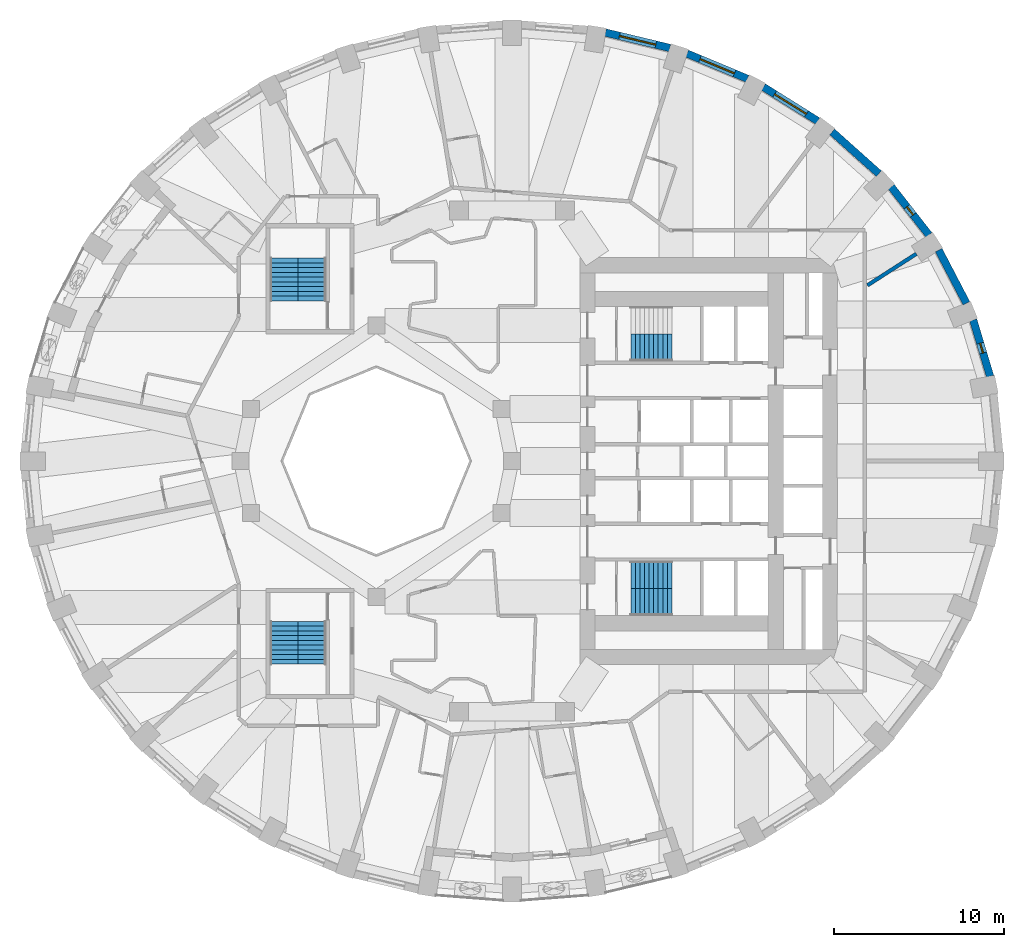
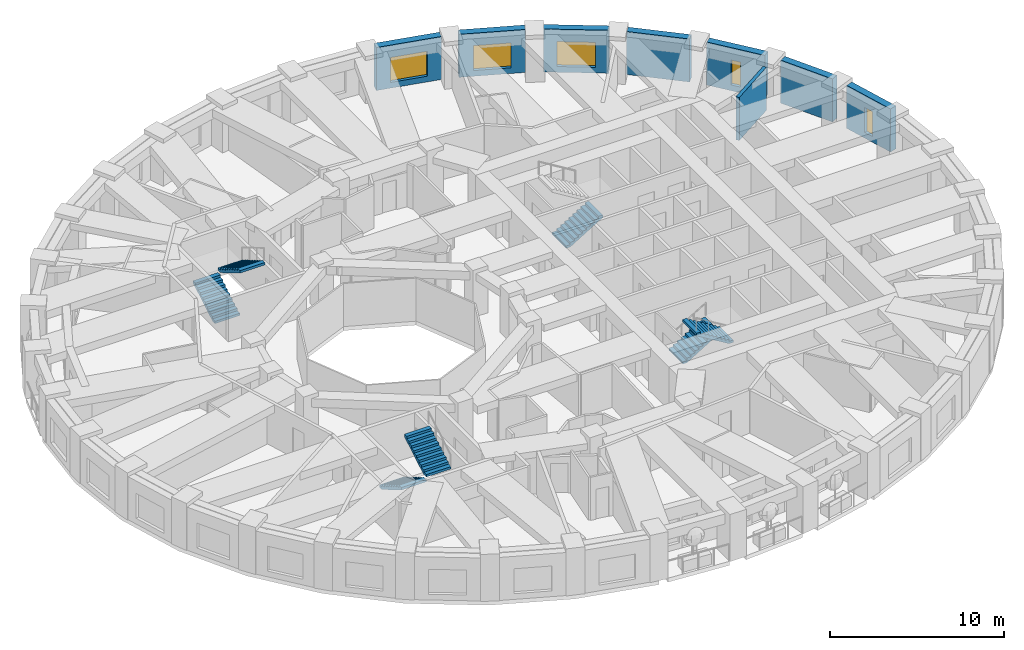
# One storey, part 9 of 13: 8 walls, 7 stair flights, 5 windows, 5 openings, 4 elements without a shape of their own.
"""IFC4 building model written with IfcOpenShell, lengths in metres."""

from ifc_helpers import new_model, si_unit, direction, frame, frame_2d, origin, place, context, subcontext, project, spatial, polyline, rectangle, outline, extrude, material, layer, layer_set, type_object, element, fill, aggregate, save


model = new_model("IFC4")

# Units and contexts
model_context = context("Model", 3, precision=1e-05, world=origin(), true_north=direction((0.0, 1.0)))
body_context = subcontext(model_context, "Body", "Model", "MODEL_VIEW")
ifc_project = project(units=[si_unit("LENGTHUNIT", "METRE"), si_unit("AREAUNIT", "SQUARE_METRE"), si_unit("VOLUMEUNIT", "CUBIC_METRE"), si_unit("PLANEANGLEUNIT", "RADIAN"), si_unit("MASSUNIT", "GRAM", prefix="KILO")], contexts=[model_context])

# Site, building, storey
site_placement = place(None, origin())
site = spatial("IfcSite", under=ifc_project, at=site_placement, CompositionType="ELEMENT")
building_placement = place(site_placement, origin())
building = spatial("IfcBuilding", under=site, at=building_placement, Name="Taillehof Tower", CompositionType="ELEMENT")
storey_placement = place(building_placement, frame((0.0, 0.0, 34.89990234375)))
storey = spatial("IfcBuildingStorey", under=building, at=storey_placement, Name="L08", CompositionType="ELEMENT", Elevation=34.89990234375)

# Wall, opening, window
ifc_material_1 = material(Name="Brick masonry", Category="masonry")
ifc_layer_1 = layer(ifc_material_1, 0.449951171875)
ifc_layer_set_1 = layer_set([ifc_layer_1], Name="Brick infill wall 450")
wall_type_1 = type_object("IfcWallType", Name="Brick infill wall 450", PredefinedType="SOLIDWALL", material=ifc_layer_set_1)
wall_1_placement = place(storey_placement, frame((28.181884765625, 4.995849609375, 0.0), z_axis=(0.0, 0.0, 1.0), x_axis=(-0.287064133733, 0.957911364963, 0.0)))
wall_1 = element("IfcWall", 1, at=wall_1_placement, inside=storey, type_object=wall_type_1, Name="Brick wall L08 bay 2", PredefinedType="SOLIDWALL", context=body_context, shape_type="SweptSolid", body=[
    extrude(rectangle(XDim=3.473388671875, YDim=0.449951171875, at=frame_2d((1.73681640625, 0.0))), origin(), (0.0, 0.0, 1.0), 3.02001953125),
])
opening_1_placement = place(wall_1_placement, frame((1.436767578125, 0.0, 0.39990234375)))
opening_1 = element("IfcOpeningElement", 2, at=opening_1_placement, cuts=wall_1, Name="Opening W6", PredefinedType="OPENING", context=body_context, shape_type="SweptSolid", body=[
    extrude(rectangle(XDim=0.60009765625, YDim=1.75, at=frame_2d((0.300048828125, 0.875))), frame((0.0, 0.23486328125, 0.0), z_axis=(0.0, -1.0, 0.0), x_axis=(1.0, 0.0, 0.0)), (0.0, 0.0, 1.0), 0.469970703125),
])
ifc_material_2 = material(Name="Aluminium window frame with clear double glazing", Category="aluminium")
window_type_1 = type_object("IfcWindowType", Name="Slot window 600x1750", PartitioningType="SINGLE_PANEL", PredefinedType="WINDOW", material=ifc_material_2)
window_1_placement = place(opening_1_placement, origin())
window_1 = element("IfcWindow", 3, at=window_1_placement, inside=storey, type_object=window_type_1, Name="W6", OverallHeight=1.75, OverallWidth=0.60009765625, PartitioningType="SINGLE_PANEL", PredefinedType="WINDOW", context=body_context, shape_type="SweptSolid", body=[
    extrude(rectangle(XDim=0.60009765625, YDim=1.75, at=frame_2d((0.300048828125, 0.875))), frame((0.0, 0.034912109375, 0.0), z_axis=(0.0, -1.0, 0.0), x_axis=(1.0, 0.0, 0.0)), (0.0, 0.0, 1.0), 0.06005859375),
])
fill(opening_1, window_1)

# Wall
wall_2_placement = place(storey_placement, frame((26.78564453125, 9.30517578125, 0.0), z_axis=(0.0, 0.0, 1.0), x_axis=(-0.462492775226, 0.886623050041, 0.0)))
element("IfcWall", 4, at=wall_2_placement, inside=storey, type_object=wall_type_1, Name="Brick wall L08 bay 3", PredefinedType="SOLIDWALL", context=body_context, shape_type="SweptSolid", body=[
    extrude(rectangle(XDim=3.531982421875, YDim=0.449951171875, at=frame_2d((1.76611328125, 0.0))), origin(), (0.0, 0.0, 1.0), 3.02001953125),
])

# Wall, opening, window
wall_3_placement = place(storey_placement, frame((24.57763671875, 13.327880859375, 0.0), z_axis=(0.0, 0.0, 1.0), x_axis=(-0.616661975264, 0.787228053529, 0.0)))
wall_3 = element("IfcWall", 5, at=wall_3_placement, inside=storey, type_object=wall_type_1, Name="Brick wall L08 bay 4", PredefinedType="SOLIDWALL", context=body_context, shape_type="SweptSolid", body=[
    extrude(rectangle(XDim=3.60986328125, YDim=0.449951171875, at=frame_2d((1.804931640625, 0.0))), origin(), (0.0, 0.0, 1.0), 3.02001953125),
])
opening_2_placement = place(wall_3_placement, frame((1.5048828125, 0.0, 0.39990234375)))
opening_2 = element("IfcOpeningElement", 6, at=opening_2_placement, cuts=wall_3, Name="Opening W6", PredefinedType="OPENING", context=body_context, shape_type="SweptSolid", body=[
    extrude(rectangle(XDim=0.60009765625, YDim=1.75, at=frame_2d((0.300048828125, 0.875))), frame((0.0, 0.23486328125, 0.0), z_axis=(0.0, -1.0, 0.0), x_axis=(1.0, 0.0, 0.0)), (0.0, 0.0, 1.0), 0.469970703125),
])
window_2_placement = place(opening_2_placement, origin())
window_2 = element("IfcWindow", 7, at=window_2_placement, inside=storey, type_object=window_type_1, Name="W6", OverallHeight=1.75, OverallWidth=0.60009765625, PartitioningType="SINGLE_PANEL", PredefinedType="WINDOW", context=body_context, shape_type="SweptSolid", body=[
    extrude(rectangle(XDim=0.60009765625, YDim=1.75, at=frame_2d((0.300048828125, 0.875))), frame((0.0, 0.034912109375, 0.0), z_axis=(0.0, -1.0, 0.0), x_axis=(1.0, 0.0, 0.0)), (0.0, 0.0, 1.0), 0.06005859375),
])
fill(opening_2, window_2)

# Wall
wall_4_placement = place(storey_placement, frame((21.626708984375, 16.943115234375, 0.0), z_axis=(0.0, 0.0, 1.0), x_axis=(-0.745526233716, 0.66647628228, 0.0)))
element("IfcWall", 8, at=wall_4_placement, inside=storey, type_object=wall_type_1, Name="Brick wall L08 bay 5", PredefinedType="SOLIDWALL", context=body_context, shape_type="SweptSolid", body=[
    extrude(rectangle(XDim=3.69677734375, YDim=0.449951171875, at=frame_2d((1.848388671875, 0.0))), origin(), (0.0, 0.0, 1.0), 3.02001953125),
])

# Wall, opening, window
wall_5_placement = place(storey_placement, frame((18.02294921875, 20.043701171875, 0.0), z_axis=(0.0, 0.0, 1.0), x_axis=(-0.847635480093, 0.530579016629, 0.0)))
wall_5 = element("IfcWall", 9, at=wall_5_placement, inside=storey, type_object=wall_type_1, Name="Brick wall L08 bay 6", PredefinedType="SOLIDWALL", context=body_context, shape_type="SweptSolid", body=[
    extrude(rectangle(XDim=3.782470703125, YDim=0.449951171875, at=frame_2d((1.89111328125, 0.0))), origin(), (0.0, 0.0, 1.0), 3.02001953125),
])
opening_3_placement = place(wall_5_placement, frame((0.791259765625, 0.0, 0.39990234375)))
opening_3 = element("IfcOpeningElement", 10, at=opening_3_placement, cuts=wall_5, Name="Opening W1", PredefinedType="OPENING", context=body_context, shape_type="SweptSolid", body=[
    extrude(rectangle(XDim=2.199951171875, YDim=1.75, at=frame_2d((1.10009765625, 0.875))), frame((0.0, 0.23486328125, 0.0), z_axis=(0.0, -1.0, 0.0), x_axis=(1.0, 0.0, 0.0)), (0.0, 0.0, 1.0), 0.469970703125),
])
ifc_material_3 = material(Name="Aluminium window frame with clear double glazing", Category="aluminium")
window_type_2 = type_object("IfcWindowType", Name="Deep-set window 2200x1750", PartitioningType="SINGLE_PANEL", PredefinedType="WINDOW", material=ifc_material_3)
window_3_placement = place(opening_3_placement, origin())
window_3 = element("IfcWindow", 11, at=window_3_placement, inside=storey, type_object=window_type_2, Name="W1", OverallHeight=1.75, OverallWidth=2.199951171875, PartitioningType="SINGLE_PANEL", PredefinedType="WINDOW", context=body_context, shape_type="SweptSolid", body=[
    extrude(rectangle(XDim=2.199951171875, YDim=1.75, at=frame_2d((1.10009765625, 0.875))), frame((0.0, 0.034912109375, 0.0), z_axis=(0.0, -1.0, 0.0), x_axis=(1.0, 0.0, 0.0)), (0.0, 0.0, 1.0), 0.06005859375),
])
fill(opening_3, window_3)

wall_6_placement = place(storey_placement, frame((13.875, 22.537353515625, 0.0), z_axis=(0.0, 0.0, 1.0), x_axis=(-0.923031964282, 0.384723267966, 0.0)))
wall_6 = element("IfcWall", 12, at=wall_6_placement, inside=storey, type_object=wall_type_1, Name="Brick wall L08 bay 7", PredefinedType="SOLIDWALL", context=body_context, shape_type="SweptSolid", body=[
    extrude(rectangle(XDim=3.8564453125, YDim=0.449951171875, at=frame_2d((1.92822265625, 0.0))), origin(), (0.0, 0.0, 1.0), 3.02001953125),
])
opening_4_placement = place(wall_6_placement, frame((0.828125, 0.0, 0.39990234375)))
opening_4 = element("IfcOpeningElement", 13, at=opening_4_placement, cuts=wall_6, Name="Opening W1", PredefinedType="OPENING", context=body_context, shape_type="SweptSolid", body=[
    extrude(rectangle(XDim=2.199951171875, YDim=1.75, at=frame_2d((1.10009765625, 0.875))), frame((0.0, 0.23486328125, 0.0), z_axis=(0.0, -1.0, 0.0), x_axis=(1.0, 0.0, 0.0)), (0.0, 0.0, 1.0), 0.469970703125),
])
window_4_placement = place(opening_4_placement, origin())
window_4 = element("IfcWindow", 14, at=window_4_placement, inside=storey, type_object=window_type_2, Name="W1", OverallHeight=1.75, OverallWidth=2.199951171875, PartitioningType="SINGLE_PANEL", PredefinedType="WINDOW", context=body_context, shape_type="SweptSolid", body=[
    extrude(rectangle(XDim=2.199951171875, YDim=1.75, at=frame_2d((1.10009765625, 0.875))), frame((0.0, 0.034912109375, 0.0), z_axis=(0.0, -1.0, 0.0), x_axis=(1.0, 0.0, 0.0)), (0.0, 0.0, 1.0), 0.06005859375),
])
fill(opening_4, window_4)

wall_7_placement = place(storey_placement, frame((9.3076171875, 24.349609375, 0.0), z_axis=(0.0, 0.0, 1.0), x_axis=(-0.972496561493, 0.232917233979, 0.0)))
wall_7 = element("IfcWall", 15, at=wall_7_placement, inside=storey, type_object=wall_type_1, Name="Brick wall L08 bay 8", PredefinedType="SOLIDWALL", context=body_context, shape_type="SweptSolid", body=[
    extrude(rectangle(XDim=3.910888671875, YDim=0.449951171875, at=frame_2d((1.95556640625, 0.0))), origin(), (0.0, 0.0, 1.0), 3.02001953125),
])
opening_5_placement = place(wall_7_placement, frame((0.855224609375, 0.0, 0.39990234375)))
opening_5 = element("IfcOpeningElement", 16, at=opening_5_placement, cuts=wall_7, Name="Opening W1", PredefinedType="OPENING", context=body_context, shape_type="SweptSolid", body=[
    extrude(rectangle(XDim=2.199951171875, YDim=1.75, at=frame_2d((1.10009765625, 0.875))), frame((0.0, 0.23486328125, 0.0), z_axis=(0.0, -1.0, 0.0), x_axis=(1.0, 0.0, 0.0)), (0.0, 0.0, 1.0), 0.469970703125),
])
window_5_placement = place(opening_5_placement, origin())
window_5 = element("IfcWindow", 17, at=window_5_placement, inside=storey, type_object=window_type_2, Name="W1", OverallHeight=1.75, OverallWidth=2.199951171875, PartitioningType="SINGLE_PANEL", PredefinedType="WINDOW", context=body_context, shape_type="SweptSolid", body=[
    extrude(rectangle(XDim=2.199951171875, YDim=1.75, at=frame_2d((1.10009765625, 0.875))), frame((0.0, 0.034912109375, 0.0), z_axis=(0.0, -1.0, 0.0), x_axis=(1.0, 0.0, 0.0)), (0.0, 0.0, 1.0), 0.06005859375),
])
fill(opening_5, window_5)

# Wall
ifc_material_4 = material(Name="Gypsum board on double steel studs with mineral wool", Category="steel")
ifc_layer_2 = layer(ifc_material_4, 0.219970703125)
ifc_layer_set_2 = layer_set([ifc_layer_2], Name="Compartment wall guest room 220")
wall_type_2 = type_object("IfcWallType", Name="Compartment wall guest room 220", PredefinedType="PARTITIONING", material=ifc_layer_set_2)
wall_8_placement = place(storey_placement, frame((23.834716796875, 12.218994140625, 0.0), z_axis=(0.0, 0.0, 1.0), x_axis=(-0.840694872373, -0.541509124176, 0.0)))
element("IfcWall", 18, at=wall_8_placement, inside=storey, type_object=wall_type_2, Name="Compartment wall", PredefinedType="PARTITIONING", context=body_context, shape_type="SweptSolid", body=[
    extrude(rectangle(XDim=3.430419921875, YDim=0.219970703125, at=frame_2d((1.71533203125, 0.0))), origin(), (0.0, 0.0, 1.0), 3.02001953125),
])

# Stair, stair flight
ifc_material_5 = material(Name="Concrete C40/50", Category="concrete")
stair_type = type_object("IfcStairType", Name="Exit stair half-turn", PredefinedType="HALF_TURN_STAIR", material=ifc_material_5)
stair_1_placement = place(storey_placement, origin())
stair_1 = element("IfcStair", 19, at=stair_1_placement, inside=storey, type_object=stair_type, Name="Exit stair S1", PredefinedType="HALF_TURN_STAIR")
ifc_material_6 = material(Name="Concrete C40/50", Category="concrete")
stair_flight_type_1 = type_object("IfcStairFlightType", Name="Stair flight 1600 riser 165.0 going 270", PredefinedType="STRAIGHT", material=ifc_material_6)
stair_flight_1_placement = place(storey_placement, frame((7.0, 6.699951171875, 0.0), z_axis=(0.0, 0.0, 1.0), x_axis=(1.0, 0.0, 0.0)))
stair_flight_1 = element("IfcStairFlight", 20, at=stair_flight_1_placement, type_object=stair_flight_type_1, Name="S1 flight 1", NumberOfRisers=10, NumberOfTreads=9, PredefinedType="STRAIGHT", RiserHeight=0.165, TreadLength=0.27, context=body_context, shape_type="SweptSolid", body=[
    extrude(outline(polyline([(0.0, 0.0), (0.0, 0.00537109375), (0.0, 0.0107421875), (0.0, 0.015869140625), (0.0, 0.021240234375), (0.0, 0.026611328125), (0.0, 0.031982421875), (0.0, 0.037353515625), (0.0, 0.04248046875), (0.0, 0.0478515625), (0.0, 0.05322265625), (0.0, 0.05859375), (0.0, 0.06396484375), (0.0, 0.069091796875), (0.0, 0.074462890625), (0.0, 0.079833984375), (0.0, 0.085205078125), (0.0, 0.090576171875), (0.0, 0.095703125), (0.0, 0.10107421875), (0.0, 0.1064453125), (0.0, 0.11181640625), (0.0, 0.1171875), (0.0, 0.122314453125), (0.0, 0.127685546875), (0.0, 0.133056640625), (0.0, 0.138427734375), (0.0, 0.143798828125), (0.0, 0.14892578125), (0.0, 0.154296875), (0.0, 0.15966796875), (0.0, 0.1650390625), (0.27001953125, 0.1650390625), (0.27001953125, 0.330078125), (0.5400390625, 0.330078125), (0.5400390625, 0.4951171875), (0.81005859375, 0.4951171875), (0.81005859375, 0.659912109375), (1.080078125, 0.659912109375), (1.080078125, 0.824951171875), (1.35009765625, 0.824951171875), (1.35009765625, 0.989990234375), (1.6201171875, 0.989990234375), (1.6201171875, 1.155029296875), (1.889892578125, 1.155029296875), (1.889892578125, 1.320068359375), (2.159912109375, 1.320068359375), (2.159912109375, 1.485107421875), (2.429931640625, 1.485107421875), (2.429931640625, 1.479248046875), (2.429931640625, 1.4736328125), (2.429931640625, 1.468017578125), (2.429931640625, 1.46240234375), (2.429931640625, 1.45654296875), (2.429931640625, 1.450927734375), (2.429931640625, 1.4453125), (2.429931640625, 1.439697265625), (2.429931640625, 1.43408203125), (2.429931640625, 1.42822265625), (2.429931640625, 1.422607421875), (2.429931640625, 1.4169921875), (2.429931640625, 1.411376953125), (2.429931640625, 1.40576171875), (2.429931640625, 1.39990234375), (2.429931640625, 1.394287109375), (2.429931640625, 1.388671875), (2.429931640625, 1.383056640625), (2.429931640625, 1.37744140625), (2.429931640625, 1.37158203125), (2.429931640625, 1.365966796875), (2.429931640625, 1.3603515625), (2.429931640625, 1.354736328125), (2.429931640625, 1.348876953125), (2.429931640625, 1.34326171875), (2.429931640625, 1.337646484375), (2.429931640625, 1.33203125), (2.429931640625, 1.326416015625), (2.429931640625, 1.320556640625), (2.429931640625, 1.31494140625), (2.429931640625, 1.309326171875), (0.287353515625, 0.0), (0.0, 0.0)])), frame((0.0, 0.800048828125, 0.0), z_axis=(0.0, -1.0, 0.0), x_axis=(1.0, 0.0, 0.0)), (0.0, 0.0, 1.0), 1.6),
])
aggregate(stair_1, [stair_flight_1])

# Stair, stair flights
stair_2_placement = place(storey_placement, origin())
stair_2 = element("IfcStair", 21, at=stair_2_placement, inside=storey, type_object=stair_type, Name="Exit stair S2", PredefinedType="HALF_TURN_STAIR")
stair_flight_2_placement = place(storey_placement, frame((7.0, -6.699951171875, 0.0), z_axis=(0.0, 0.0, 1.0), x_axis=(1.0, 0.0, 0.0)))
stair_flight_2 = element("IfcStairFlight", 22, at=stair_flight_2_placement, type_object=stair_flight_type_1, Name="S2 flight 1", NumberOfRisers=10, NumberOfTreads=9, PredefinedType="STRAIGHT", RiserHeight=0.165, TreadLength=0.27, context=body_context, shape_type="SweptSolid", body=[
    extrude(outline(polyline([(0.0, 0.0), (0.0, 0.00537109375), (0.0, 0.0107421875), (0.0, 0.015869140625), (0.0, 0.021240234375), (0.0, 0.026611328125), (0.0, 0.031982421875), (0.0, 0.037353515625), (0.0, 0.04248046875), (0.0, 0.0478515625), (0.0, 0.05322265625), (0.0, 0.05859375), (0.0, 0.06396484375), (0.0, 0.069091796875), (0.0, 0.074462890625), (0.0, 0.079833984375), (0.0, 0.085205078125), (0.0, 0.090576171875), (0.0, 0.095703125), (0.0, 0.10107421875), (0.0, 0.1064453125), (0.0, 0.11181640625), (0.0, 0.1171875), (0.0, 0.122314453125), (0.0, 0.127685546875), (0.0, 0.133056640625), (0.0, 0.138427734375), (0.0, 0.143798828125), (0.0, 0.14892578125), (0.0, 0.154296875), (0.0, 0.15966796875), (0.0, 0.1650390625), (0.27001953125, 0.1650390625), (0.27001953125, 0.330078125), (0.5400390625, 0.330078125), (0.5400390625, 0.4951171875), (0.81005859375, 0.4951171875), (0.81005859375, 0.659912109375), (1.080078125, 0.659912109375), (1.080078125, 0.824951171875), (1.35009765625, 0.824951171875), (1.35009765625, 0.989990234375), (1.6201171875, 0.989990234375), (1.6201171875, 1.155029296875), (1.889892578125, 1.155029296875), (1.889892578125, 1.320068359375), (2.159912109375, 1.320068359375), (2.159912109375, 1.485107421875), (2.429931640625, 1.485107421875), (2.429931640625, 1.479248046875), (2.429931640625, 1.4736328125), (2.429931640625, 1.468017578125), (2.429931640625, 1.46240234375), (2.429931640625, 1.45654296875), (2.429931640625, 1.450927734375), (2.429931640625, 1.4453125), (2.429931640625, 1.439697265625), (2.429931640625, 1.43408203125), (2.429931640625, 1.42822265625), (2.429931640625, 1.422607421875), (2.429931640625, 1.4169921875), (2.429931640625, 1.411376953125), (2.429931640625, 1.40576171875), (2.429931640625, 1.39990234375), (2.429931640625, 1.394287109375), (2.429931640625, 1.388671875), (2.429931640625, 1.383056640625), (2.429931640625, 1.37744140625), (2.429931640625, 1.37158203125), (2.429931640625, 1.365966796875), (2.429931640625, 1.3603515625), (2.429931640625, 1.354736328125), (2.429931640625, 1.348876953125), (2.429931640625, 1.34326171875), (2.429931640625, 1.337646484375), (2.429931640625, 1.33203125), (2.429931640625, 1.326416015625), (2.429931640625, 1.320556640625), (2.429931640625, 1.31494140625), (2.429931640625, 1.309326171875), (0.287353515625, 0.0), (0.0, 0.0)])), frame((0.0, 0.800048828125, 0.0), z_axis=(0.0, -1.0, 0.0), x_axis=(1.0, 0.0, 0.0)), (0.0, 0.0, 1.0), 1.6),
])
stair_flight_3_placement = place(storey_placement, frame((9.429931640625, -8.300048828125, 1.650146484375), z_axis=(0.0, 0.0, 1.0), x_axis=(-1.0, 0.0, 0.0)))
stair_flight_3 = element("IfcStairFlight", 23, at=stair_flight_3_placement, type_object=stair_flight_type_1, Name="S2 flight 2", NumberOfRisers=10, NumberOfTreads=9, PredefinedType="STRAIGHT", RiserHeight=0.165, TreadLength=0.27, context=body_context, shape_type="SweptSolid", body=[
    extrude(outline(polyline([(0.0, 0.0), (0.0, 0.00537109375), (0.0, 0.0107421875), (0.0, 0.015869140625), (0.0, 0.021240234375), (0.0, 0.026611328125), (0.0, 0.031982421875), (0.0, 0.037353515625), (0.0, 0.04248046875), (0.0, 0.0478515625), (0.0, 0.05322265625), (0.0, 0.05859375), (0.0, 0.06396484375), (0.0, 0.069091796875), (0.0, 0.074462890625), (0.0, 0.079833984375), (0.0, 0.085205078125), (0.0, 0.090576171875), (0.0, 0.095703125), (0.0, 0.10107421875), (0.0, 0.1064453125), (0.0, 0.11181640625), (0.0, 0.1171875), (0.0, 0.122314453125), (0.0, 0.127685546875), (0.0, 0.133056640625), (0.0, 0.138427734375), (0.0, 0.143798828125), (0.0, 0.14892578125), (0.0, 0.154296875), (0.0, 0.15966796875), (0.0, 0.1650390625), (0.27001953125, 0.1650390625), (0.27001953125, 0.330078125), (0.5400390625, 0.330078125), (0.5400390625, 0.4951171875), (0.81005859375, 0.4951171875), (0.81005859375, 0.659912109375), (1.080078125, 0.659912109375), (1.080078125, 0.824951171875), (1.35009765625, 0.824951171875), (1.35009765625, 0.989990234375), (1.6201171875, 0.989990234375), (1.6201171875, 1.155029296875), (1.889892578125, 1.155029296875), (1.889892578125, 1.320068359375), (2.159912109375, 1.320068359375), (2.159912109375, 1.485107421875), (2.429931640625, 1.485107421875), (2.429931640625, 1.479248046875), (2.429931640625, 1.4736328125), (2.429931640625, 1.468017578125), (2.429931640625, 1.46240234375), (2.429931640625, 1.45654296875), (2.429931640625, 1.450927734375), (2.429931640625, 1.4453125), (2.429931640625, 1.439697265625), (2.429931640625, 1.43408203125), (2.429931640625, 1.42822265625), (2.429931640625, 1.422607421875), (2.429931640625, 1.4169921875), (2.429931640625, 1.411376953125), (2.429931640625, 1.40576171875), (2.429931640625, 1.39990234375), (2.429931640625, 1.394287109375), (2.429931640625, 1.388671875), (2.429931640625, 1.383056640625), (2.429931640625, 1.37744140625), (2.429931640625, 1.37158203125), (2.429931640625, 1.365966796875), (2.429931640625, 1.3603515625), (2.429931640625, 1.354736328125), (2.429931640625, 1.348876953125), (2.429931640625, 1.34326171875), (2.429931640625, 1.337646484375), (2.429931640625, 1.33203125), (2.429931640625, 1.326416015625), (2.429931640625, 1.320556640625), (2.429931640625, 1.31494140625), (2.429931640625, 1.309326171875), (0.287353515625, 0.0), (0.0, 0.0)])), frame((0.0, 0.800048828125, 0.0), z_axis=(0.0, -1.0, 0.0), x_axis=(1.0, 0.0, 0.0)), (0.0, 0.0, 1.0), 1.6),
])
aggregate(stair_2, [stair_flight_2, stair_flight_3])

stair_3_placement = place(storey_placement, origin())
stair_3 = element("IfcStair", 24, at=stair_3_placement, inside=storey, type_object=stair_type, Name="Exit stair S3", PredefinedType="HALF_TURN_STAIR")
ifc_material_7 = material(Name="Concrete C40/50", Category="concrete")
stair_flight_type_2 = type_object("IfcStairFlightType", Name="Stair flight 1650 riser 165.0 going 280", PredefinedType="STRAIGHT", material=ifc_material_7)
stair_flight_4_placement = place(storey_placement, frame((-13.425048828125, 9.449951171875, 0.0), z_axis=(0.0, 0.0, 1.0), x_axis=(0.0, 1.0, 0.0)))
stair_flight_4 = element("IfcStairFlight", 25, at=stair_flight_4_placement, type_object=stair_flight_type_2, Name="S3 flight 1", NumberOfRisers=10, NumberOfTreads=9, PredefinedType="STRAIGHT", RiserHeight=0.165, TreadLength=0.28, context=body_context, shape_type="SweptSolid", body=[
    extrude(outline(polyline([(0.0, 0.0), (0.0, 0.00537109375), (0.0, 0.0107421875), (0.0, 0.015869140625), (0.0, 0.021240234375), (0.0, 0.026611328125), (0.0, 0.031982421875), (0.0, 0.037353515625), (0.0, 0.04248046875), (0.0, 0.0478515625), (0.0, 0.05322265625), (0.0, 0.05859375), (0.0, 0.06396484375), (0.0, 0.069091796875), (0.0, 0.074462890625), (0.0, 0.079833984375), (0.0, 0.085205078125), (0.0, 0.090576171875), (0.0, 0.095703125), (0.0, 0.10107421875), (0.0, 0.1064453125), (0.0, 0.11181640625), (0.0, 0.1171875), (0.0, 0.122314453125), (0.0, 0.127685546875), (0.0, 0.133056640625), (0.0, 0.138427734375), (0.0, 0.143798828125), (0.0, 0.14892578125), (0.0, 0.154296875), (0.0, 0.15966796875), (0.0, 0.1650390625), (0.280029296875, 0.1650390625), (0.280029296875, 0.330078125), (0.56005859375, 0.330078125), (0.56005859375, 0.4951171875), (0.840087890625, 0.4951171875), (0.840087890625, 0.659912109375), (1.1201171875, 0.659912109375), (1.1201171875, 0.824951171875), (1.39990234375, 0.824951171875), (1.39990234375, 0.989990234375), (1.679931640625, 0.989990234375), (1.679931640625, 1.155029296875), (1.9599609375, 1.155029296875), (1.9599609375, 1.320068359375), (2.239990234375, 1.320068359375), (2.239990234375, 1.485107421875), (2.52001953125, 1.485107421875), (2.52001953125, 1.4794921875), (2.52001953125, 1.473876953125), (2.52001953125, 1.46826171875), (2.52001953125, 1.462646484375), (2.52001953125, 1.45703125), (2.52001953125, 1.451416015625), (2.52001953125, 1.44580078125), (2.52001953125, 1.440185546875), (2.52001953125, 1.4345703125), (2.52001953125, 1.428955078125), (2.52001953125, 1.42333984375), (2.52001953125, 1.417724609375), (2.52001953125, 1.412109375), (2.52001953125, 1.406494140625), (2.52001953125, 1.40087890625), (2.52001953125, 1.395263671875), (2.52001953125, 1.3896484375), (2.52001953125, 1.384033203125), (2.52001953125, 1.37841796875), (2.52001953125, 1.372802734375), (2.52001953125, 1.3671875), (2.52001953125, 1.361572265625), (2.52001953125, 1.35595703125), (2.52001953125, 1.350341796875), (2.52001953125, 1.3447265625), (2.52001953125, 1.339111328125), (2.52001953125, 1.33349609375), (2.52001953125, 1.327880859375), (2.52001953125, 1.322265625), (2.52001953125, 1.316650390625), (2.52001953125, 1.31103515625), (0.295166015625, 0.0), (0.0, 0.0)])), frame((0.0, 0.824951171875, 0.0), z_axis=(0.0, -1.0, 0.0), x_axis=(1.0, 0.0, 0.0)), (0.0, 0.0, 1.0), 1.65),
])
stair_flight_5_placement = place(storey_placement, frame((-11.77490234375, 11.969970703125, 1.650146484375), z_axis=(0.0, 0.0, 1.0), x_axis=(0.0, -1.0, 0.0)))
stair_flight_5 = element("IfcStairFlight", 26, at=stair_flight_5_placement, type_object=stair_flight_type_2, Name="S3 flight 2", NumberOfRisers=10, NumberOfTreads=9, PredefinedType="STRAIGHT", RiserHeight=0.165, TreadLength=0.28, context=body_context, shape_type="SweptSolid", body=[
    extrude(outline(polyline([(0.0, 0.0), (0.0, 0.00537109375), (0.0, 0.0107421875), (0.0, 0.015869140625), (0.0, 0.021240234375), (0.0, 0.026611328125), (0.0, 0.031982421875), (0.0, 0.037353515625), (0.0, 0.04248046875), (0.0, 0.0478515625), (0.0, 0.05322265625), (0.0, 0.05859375), (0.0, 0.06396484375), (0.0, 0.069091796875), (0.0, 0.074462890625), (0.0, 0.079833984375), (0.0, 0.085205078125), (0.0, 0.090576171875), (0.0, 0.095703125), (0.0, 0.10107421875), (0.0, 0.1064453125), (0.0, 0.11181640625), (0.0, 0.1171875), (0.0, 0.122314453125), (0.0, 0.127685546875), (0.0, 0.133056640625), (0.0, 0.138427734375), (0.0, 0.143798828125), (0.0, 0.14892578125), (0.0, 0.154296875), (0.0, 0.15966796875), (0.0, 0.1650390625), (0.280029296875, 0.1650390625), (0.280029296875, 0.330078125), (0.56005859375, 0.330078125), (0.56005859375, 0.4951171875), (0.840087890625, 0.4951171875), (0.840087890625, 0.659912109375), (1.1201171875, 0.659912109375), (1.1201171875, 0.824951171875), (1.39990234375, 0.824951171875), (1.39990234375, 0.989990234375), (1.679931640625, 0.989990234375), (1.679931640625, 1.155029296875), (1.9599609375, 1.155029296875), (1.9599609375, 1.320068359375), (2.239990234375, 1.320068359375), (2.239990234375, 1.485107421875), (2.52001953125, 1.485107421875), (2.52001953125, 1.4794921875), (2.52001953125, 1.473876953125), (2.52001953125, 1.46826171875), (2.52001953125, 1.462646484375), (2.52001953125, 1.45703125), (2.52001953125, 1.451416015625), (2.52001953125, 1.44580078125), (2.52001953125, 1.440185546875), (2.52001953125, 1.4345703125), (2.52001953125, 1.428955078125), (2.52001953125, 1.42333984375), (2.52001953125, 1.417724609375), (2.52001953125, 1.412109375), (2.52001953125, 1.406494140625), (2.52001953125, 1.40087890625), (2.52001953125, 1.395263671875), (2.52001953125, 1.3896484375), (2.52001953125, 1.384033203125), (2.52001953125, 1.37841796875), (2.52001953125, 1.372802734375), (2.52001953125, 1.3671875), (2.52001953125, 1.361572265625), (2.52001953125, 1.35595703125), (2.52001953125, 1.350341796875), (2.52001953125, 1.3447265625), (2.52001953125, 1.339111328125), (2.52001953125, 1.33349609375), (2.52001953125, 1.327880859375), (2.52001953125, 1.322265625), (2.52001953125, 1.316650390625), (2.52001953125, 1.31103515625), (0.295166015625, 0.0), (0.0, 0.0)])), frame((0.0, 0.824951171875, 0.0), z_axis=(0.0, -1.0, 0.0), x_axis=(1.0, 0.0, 0.0)), (0.0, 0.0, 1.0), 1.65),
])
aggregate(stair_3, [stair_flight_4, stair_flight_5])

stair_4_placement = place(storey_placement, origin())
stair_4 = element("IfcStair", 27, at=stair_4_placement, inside=storey, type_object=stair_type, Name="Exit stair S4", PredefinedType="HALF_TURN_STAIR")
stair_flight_6_placement = place(storey_placement, frame((-13.425048828125, -9.449951171875, 0.0), z_axis=(0.0, 0.0, 1.0), x_axis=(0.0, -1.0, 0.0)))
stair_flight_6 = element("IfcStairFlight", 28, at=stair_flight_6_placement, type_object=stair_flight_type_2, Name="S4 flight 1", NumberOfRisers=10, NumberOfTreads=9, PredefinedType="STRAIGHT", RiserHeight=0.165, TreadLength=0.28, context=body_context, shape_type="SweptSolid", body=[
    extrude(outline(polyline([(0.0, 0.0), (0.0, 0.00537109375), (0.0, 0.0107421875), (0.0, 0.015869140625), (0.0, 0.021240234375), (0.0, 0.026611328125), (0.0, 0.031982421875), (0.0, 0.037353515625), (0.0, 0.04248046875), (0.0, 0.0478515625), (0.0, 0.05322265625), (0.0, 0.05859375), (0.0, 0.06396484375), (0.0, 0.069091796875), (0.0, 0.074462890625), (0.0, 0.079833984375), (0.0, 0.085205078125), (0.0, 0.090576171875), (0.0, 0.095703125), (0.0, 0.10107421875), (0.0, 0.1064453125), (0.0, 0.11181640625), (0.0, 0.1171875), (0.0, 0.122314453125), (0.0, 0.127685546875), (0.0, 0.133056640625), (0.0, 0.138427734375), (0.0, 0.143798828125), (0.0, 0.14892578125), (0.0, 0.154296875), (0.0, 0.15966796875), (0.0, 0.1650390625), (0.280029296875, 0.1650390625), (0.280029296875, 0.330078125), (0.56005859375, 0.330078125), (0.56005859375, 0.4951171875), (0.840087890625, 0.4951171875), (0.840087890625, 0.659912109375), (1.1201171875, 0.659912109375), (1.1201171875, 0.824951171875), (1.39990234375, 0.824951171875), (1.39990234375, 0.989990234375), (1.679931640625, 0.989990234375), (1.679931640625, 1.155029296875), (1.9599609375, 1.155029296875), (1.9599609375, 1.320068359375), (2.239990234375, 1.320068359375), (2.239990234375, 1.485107421875), (2.52001953125, 1.485107421875), (2.52001953125, 1.4794921875), (2.52001953125, 1.473876953125), (2.52001953125, 1.46826171875), (2.52001953125, 1.462646484375), (2.52001953125, 1.45703125), (2.52001953125, 1.451416015625), (2.52001953125, 1.44580078125), (2.52001953125, 1.440185546875), (2.52001953125, 1.4345703125), (2.52001953125, 1.428955078125), (2.52001953125, 1.42333984375), (2.52001953125, 1.417724609375), (2.52001953125, 1.412109375), (2.52001953125, 1.406494140625), (2.52001953125, 1.40087890625), (2.52001953125, 1.395263671875), (2.52001953125, 1.3896484375), (2.52001953125, 1.384033203125), (2.52001953125, 1.37841796875), (2.52001953125, 1.372802734375), (2.52001953125, 1.3671875), (2.52001953125, 1.361572265625), (2.52001953125, 1.35595703125), (2.52001953125, 1.350341796875), (2.52001953125, 1.3447265625), (2.52001953125, 1.339111328125), (2.52001953125, 1.33349609375), (2.52001953125, 1.327880859375), (2.52001953125, 1.322265625), (2.52001953125, 1.316650390625), (2.52001953125, 1.31103515625), (0.295166015625, 0.0), (0.0, 0.0)])), frame((0.0, 0.824951171875, 0.0), z_axis=(0.0, -1.0, 0.0), x_axis=(1.0, 0.0, 0.0)), (0.0, 0.0, 1.0), 1.65),
])
stair_flight_7_placement = place(storey_placement, frame((-11.77490234375, -11.969970703125, 1.650146484375), z_axis=(0.0, 0.0, 1.0), x_axis=(0.0, 1.0, 0.0)))
stair_flight_7 = element("IfcStairFlight", 29, at=stair_flight_7_placement, type_object=stair_flight_type_2, Name="S4 flight 2", NumberOfRisers=10, NumberOfTreads=9, PredefinedType="STRAIGHT", RiserHeight=0.165, TreadLength=0.28, context=body_context, shape_type="SweptSolid", body=[
    extrude(outline(polyline([(0.0, 0.0), (0.0, 0.00537109375), (0.0, 0.0107421875), (0.0, 0.015869140625), (0.0, 0.021240234375), (0.0, 0.026611328125), (0.0, 0.031982421875), (0.0, 0.037353515625), (0.0, 0.04248046875), (0.0, 0.0478515625), (0.0, 0.05322265625), (0.0, 0.05859375), (0.0, 0.06396484375), (0.0, 0.069091796875), (0.0, 0.074462890625), (0.0, 0.079833984375), (0.0, 0.085205078125), (0.0, 0.090576171875), (0.0, 0.095703125), (0.0, 0.10107421875), (0.0, 0.1064453125), (0.0, 0.11181640625), (0.0, 0.1171875), (0.0, 0.122314453125), (0.0, 0.127685546875), (0.0, 0.133056640625), (0.0, 0.138427734375), (0.0, 0.143798828125), (0.0, 0.14892578125), (0.0, 0.154296875), (0.0, 0.15966796875), (0.0, 0.1650390625), (0.280029296875, 0.1650390625), (0.280029296875, 0.330078125), (0.56005859375, 0.330078125), (0.56005859375, 0.4951171875), (0.840087890625, 0.4951171875), (0.840087890625, 0.659912109375), (1.1201171875, 0.659912109375), (1.1201171875, 0.824951171875), (1.39990234375, 0.824951171875), (1.39990234375, 0.989990234375), (1.679931640625, 0.989990234375), (1.679931640625, 1.155029296875), (1.9599609375, 1.155029296875), (1.9599609375, 1.320068359375), (2.239990234375, 1.320068359375), (2.239990234375, 1.485107421875), (2.52001953125, 1.485107421875), (2.52001953125, 1.4794921875), (2.52001953125, 1.473876953125), (2.52001953125, 1.46826171875), (2.52001953125, 1.462646484375), (2.52001953125, 1.45703125), (2.52001953125, 1.451416015625), (2.52001953125, 1.44580078125), (2.52001953125, 1.440185546875), (2.52001953125, 1.4345703125), (2.52001953125, 1.428955078125), (2.52001953125, 1.42333984375), (2.52001953125, 1.417724609375), (2.52001953125, 1.412109375), (2.52001953125, 1.406494140625), (2.52001953125, 1.40087890625), (2.52001953125, 1.395263671875), (2.52001953125, 1.3896484375), (2.52001953125, 1.384033203125), (2.52001953125, 1.37841796875), (2.52001953125, 1.372802734375), (2.52001953125, 1.3671875), (2.52001953125, 1.361572265625), (2.52001953125, 1.35595703125), (2.52001953125, 1.350341796875), (2.52001953125, 1.3447265625), (2.52001953125, 1.339111328125), (2.52001953125, 1.33349609375), (2.52001953125, 1.327880859375), (2.52001953125, 1.322265625), (2.52001953125, 1.316650390625), (2.52001953125, 1.31103515625), (0.295166015625, 0.0), (0.0, 0.0)])), frame((0.0, 0.824951171875, 0.0), z_axis=(0.0, -1.0, 0.0), x_axis=(1.0, 0.0, 0.0)), (0.0, 0.0, 1.0), 1.65),
])
aggregate(stair_4, [stair_flight_6, stair_flight_7])

save(model, "model.ifc")
